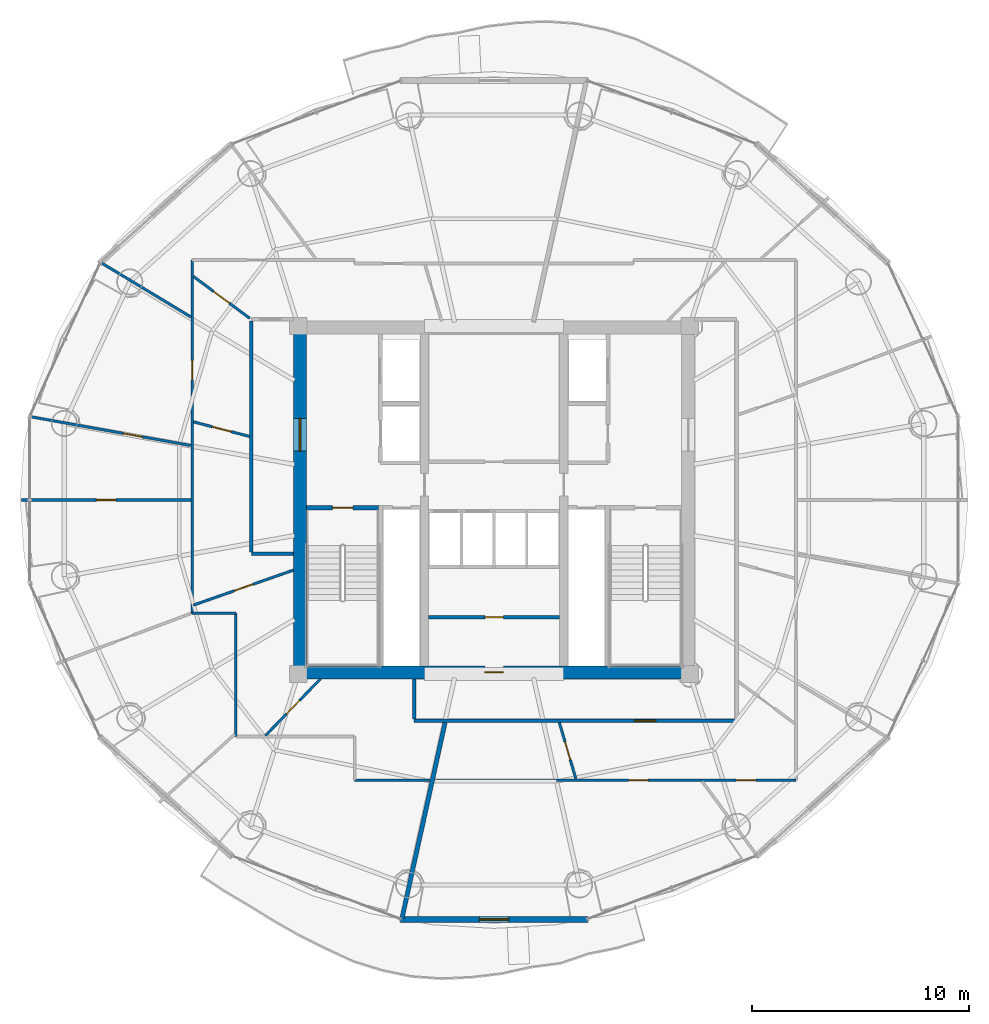
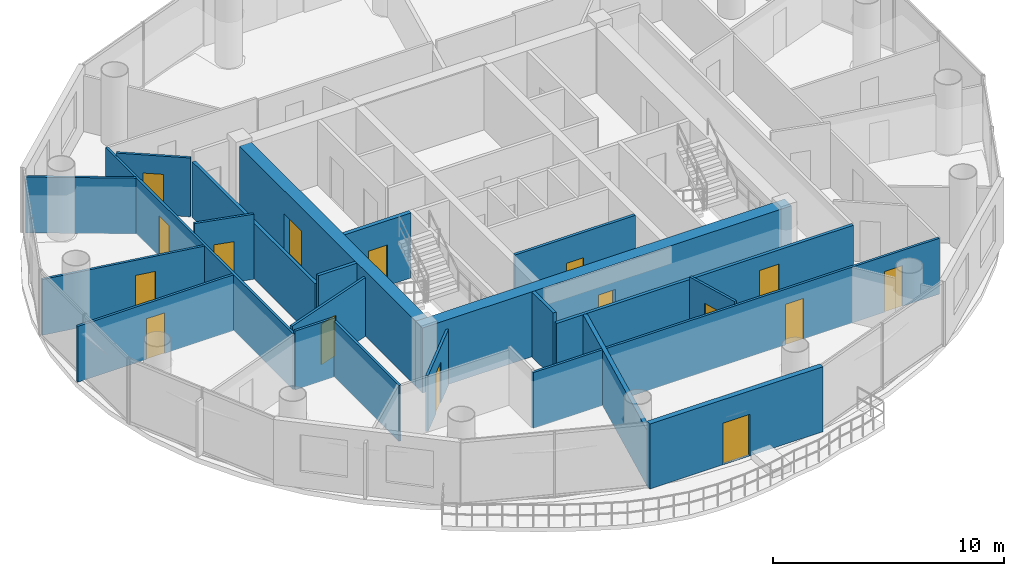
# One storey, part 20 of 26: 23 walls, 16 doors, 16 openings.
"""IFC4 building model written with IfcOpenShell, lengths in metres."""

from ifc_helpers import new_model, si_unit, direction, frame, frame_2d, origin, place, context, subcontext, project, spatial, rectangle, extrude, source, transform, mapped, material, layer, layer_set, type_object, element, fill, save


model = new_model("IFC4")

# Units and contexts
model_context = context("Model", 3, precision=1e-05, world=origin(), true_north=direction((-0.2419218956, 0.970295726276)))
body_context = subcontext(model_context, "Body", "Model", "MODEL_VIEW")
ifc_project = project(units=[si_unit("LENGTHUNIT", "METRE"), si_unit("AREAUNIT", "SQUARE_METRE"), si_unit("VOLUMEUNIT", "CUBIC_METRE"), si_unit("PLANEANGLEUNIT", "RADIAN"), si_unit("MASSUNIT", "GRAM", prefix="KILO")], contexts=[model_context])

# Site, building, storey
site_placement = place(None, origin())
site = spatial("IfcSite", under=ifc_project, at=site_placement, CompositionType="ELEMENT")
building_placement = place(site_placement, origin())
building = spatial("IfcBuilding", under=site, at=building_placement, Name="Cobrevalo Terracotta Tower", CompositionType="ELEMENT")
storey_placement = place(building_placement, frame((0.0, 0.0, 224.5)))
storey = spatial("IfcBuildingStorey", under=building, at=storey_placement, Name="L59", CompositionType="ELEMENT", Elevation=224.5)

# Wall, opening, door
ifc_material_1 = material(Name="Concrete C55", Category="concrete")
ifc_layer_1 = layer(ifc_material_1, 0.60009765625)
ifc_layer_set_1 = layer_set([ifc_layer_1], Name="Concrete C55")
wall_type_1 = type_object("IfcWallType", Name="Core shear wall 600 mm Concrete C55", PredefinedType="SHEAR", material=ifc_layer_set_1)
wall_1_placement = place(storey_placement, frame((28.77490234375, 18.875, 0.0), z_axis=(0.0, 0.0, 1.0), x_axis=(1.0, 0.0, 0.0)))
wall_1 = element("IfcWall", 1, at=wall_1_placement, inside=storey, type_object=wall_type_1, Name="L59 south core shear wall", PredefinedType="SHEAR", context=body_context, shape_type="SweptSolid", body=[
    extrude(rectangle(XDim=18.4501953125, YDim=0.60009765625, at=frame_2d((9.22509765625, 0.0))), origin(), (0.0, 0.0, 1.0), 3.43505859375),
])
opening_1_placement = place(wall_1_placement, frame((8.800048828125, 0.0, 0.0)))
opening_1 = element("IfcOpeningElement", 2, at=opening_1_placement, cuts=wall_1, Name="Opening ID-22", PredefinedType="OPENING", context=body_context, shape_type="SweptSolid", body=[
    extrude(rectangle(XDim=0.85009765625, YDim=2.10009765625, at=frame_2d((0.425048828125, 1.050048828125))), frame((0.0, 0.31005859375, 0.0), z_axis=(0.0, -1.0, 0.0), x_axis=(1.0, 0.0, 0.0)), (0.0, 0.0, 1.0), 0.6201171875),
])
ifc_material_2 = material(Name="Powder-coated steel", Category="steel")
door_type_1 = type_object("IfcDoorType", Name="Riser shaft & meter closet fire access door 850x2100 EI 60", OperationType="NOTDEFINED", PredefinedType="DOOR", material=ifc_material_2)
shared_shape_1 = source(origin(), body_context, "Body", "SweptSolid", [
    extrude(rectangle(XDim=0.85009765625, YDim=2.10009765625, at=frame_2d((0.425048828125, 1.050048828125))), frame((0.0, 0.02490234375, 0.0), z_axis=(0.0, -1.0, 0.0), x_axis=(1.0, 0.0, 0.0)), (0.0, 0.0, 1.0), 0.050048828125),
])
door_1_placement = place(opening_1_placement, origin())
door_1 = element("IfcDoor", 3, at=door_1_placement, inside=storey, type_object=door_type_1, Name="L59 core south plant door Smoke Extract Fan Plant", OperationType="SINGLE_SWING_RIGHT", OverallHeight=2.10009765625, OverallWidth=0.85009765625, PredefinedType="DOOR", context=body_context, shape_type="MappedRepresentation", body=[
    mapped(shared_shape_1, transform((0.0, 0.0, 0.0), scale=1.0)),
])
fill(opening_1, door_1)

wall_2_placement = place(storey_placement, frame((29.074951171875, 19.175048828125, 0.0), z_axis=(0.0, 0.0, 1.0), x_axis=(0.0, 1.0, 0.0)))
wall_2 = element("IfcWall", 4, at=wall_2_placement, inside=storey, type_object=wall_type_1, Name="L59 west core shear wall", PredefinedType="SHEAR", context=body_context, shape_type="SweptSolid", body=[
    extrude(rectangle(XDim=15.25, YDim=0.60009765625, at=frame_2d((7.625, 0.0))), origin(), (0.0, 0.0, 1.0), 3.43505859375),
])
opening_2_placement = place(wall_2_placement, frame((9.875, 0.0, 0.0)))
opening_2 = element("IfcOpeningElement", 5, at=opening_2_placement, cuts=wall_2, Name="Opening ID-14", PredefinedType="OPENING", context=body_context, shape_type="SweptSolid", body=[
    extrude(rectangle(XDim=1.5, YDim=2.199951171875, at=frame_2d((0.75, 1.10009765625))), frame((0.0, 0.31005859375, 0.0), z_axis=(0.0, -1.0, 0.0), x_axis=(1.0, 0.0, 0.0)), (0.0, 0.0, 1.0), 0.6201171875),
])
ifc_material_3 = material(Name="Galvanized fire-rated steel", Category="steel")
door_type_2 = type_object("IfcDoorType", Name="Core cross-lobby double fire door 1500x2200 EI 90", OperationType="NOTDEFINED", PredefinedType="DOOR", material=ifc_material_3)
shared_shape_2 = source(origin(), body_context, "Body", "SweptSolid", [
    extrude(rectangle(XDim=1.5, YDim=2.199951171875, at=frame_2d((0.75, 1.10009765625))), frame((0.0, 0.02490234375, 0.0), z_axis=(0.0, -1.0, 0.0), x_axis=(1.0, 0.0, 0.0)), (0.0, 0.0, 1.0), 0.050048828125),
])
door_2_placement = place(opening_2_placement, origin())
door_2 = element("IfcDoor", 6, at=door_2_placement, inside=storey, type_object=door_type_2, Name="L59 west firefighting lobby entrance door", OperationType="DOUBLE_DOOR_SINGLE_SWING", OverallHeight=2.199951171875, OverallWidth=1.5, PredefinedType="DOOR", context=body_context, shape_type="MappedRepresentation", body=[
    mapped(shared_shape_2, transform((0.0, 0.0, 0.0), scale=1.0)),
])
fill(opening_2, door_2)

# Walls
ifc_material_4 = material(Name="Gypsum board on steel stud", Category="steel")
ifc_layer_2 = layer(ifc_material_4, 0.159912109375)
ifc_layer_set_2 = layer_set([ifc_layer_2], Name="Gypsum board on steel stud")
wall_type_2 = type_object("IfcWallType", Name="Fire-rated corridor acoustic partition wall 160 mm", PredefinedType="PARTITIONING", material=ifc_layer_set_2)
wall_3_placement = place(storey_placement, frame((26.844970703125, 24.39990234375, 0.0), z_axis=(0.0, 0.0, 1.0), x_axis=(0.0, 1.0, 0.0)))
element("IfcWall", 7, at=wall_3_placement, inside=storey, type_object=wall_type_2, Name="L59 interior partition IW-L59-COR-W", PredefinedType="PARTITIONING", context=body_context, shape_type="SweptSolid", body=[
    extrude(rectangle(XDim=10.625, YDim=0.159912109375, at=frame_2d((5.3125, 0.0))), origin(), (0.0, 0.0, 1.0), 2.950927734375),
])
wall_4_placement = place(storey_placement, frame((26.844970703125, 24.320068359375, 0.0), z_axis=(0.0, 0.0, 1.0), x_axis=(1.0, 0.0, 0.0)))
element("IfcWall", 8, at=wall_4_placement, inside=storey, type_object=wall_type_2, Name="L59 interior partition IW-L59-COR-WS-CAP", PredefinedType="PARTITIONING", context=body_context, shape_type="SweptSolid", body=[
    extrude(rectangle(XDim=1.929931640625, YDim=0.159912109375, at=frame_2d((0.96484375, 0.0))), origin(), (0.0, 0.0, 1.0), 3.43505859375),
])

# Wall, opening, door
wall_5_placement = place(storey_placement, frame((34.320068359375, 16.64501953125, 0.0), z_axis=(0.0, 0.0, 1.0), x_axis=(1.0, 0.0, 0.0)))
wall_5 = element("IfcWall", 9, at=wall_5_placement, inside=storey, type_object=wall_type_2, Name="L59 interior partition IW-L59-COR-S", PredefinedType="PARTITIONING", context=body_context, shape_type="SweptSolid", body=[
    extrude(rectangle(XDim=14.8349609375, YDim=0.159912109375, at=frame_2d((7.41748046875, 0.0))), origin(), (0.0, 0.0, 1.0), 2.950927734375),
])
opening_3_placement = place(wall_5_placement, frame((10.135009765625, 0.0, 0.0)))
opening_3 = element("IfcOpeningElement", 10, at=opening_3_placement, cuts=wall_5, Name="Opening ID-05", PredefinedType="OPENING", context=body_context, shape_type="SweptSolid", body=[
    extrude(rectangle(XDim=0.97998046875, YDim=2.199951171875, at=frame_2d((0.489990234375, 1.10009765625))), frame((0.0, 0.08984375, 0.0), z_axis=(0.0, -1.0, 0.0), x_axis=(1.0, 0.0, 0.0)), (0.0, 0.0, 1.0), 0.179931640625),
])
ifc_material_5 = material(Name="Solid hardwood timber", Category="wood")
door_type_3 = type_object("IfcDoorType", Name="Residence entrance fire-rated acoustic timber door 980x2200 EI 60", OperationType="NOTDEFINED", PredefinedType="DOOR", material=ifc_material_5)
shared_shape_3 = source(origin(), body_context, "Body", "SweptSolid", [
    extrude(rectangle(XDim=0.97998046875, YDim=2.199951171875, at=frame_2d((0.489990234375, 1.10009765625))), frame((0.0, 0.02490234375, 0.0), z_axis=(0.0, -1.0, 0.0), x_axis=(1.0, 0.0, 0.0)), (0.0, 0.0, 1.0), 0.050048828125),
])
door_3_placement = place(opening_3_placement, frame((0.97998046875, 0.0, 0.0), z_axis=(0.0, 0.0, 1.0), x_axis=(-1.0, 0.0, 0.0)))
door_3 = element("IfcDoor", 11, at=door_3_placement, inside=storey, type_object=door_type_3, Name="Flat L59B fire-rated apartment entrance door", OperationType="SINGLE_SWING_LEFT", OverallHeight=2.199951171875, OverallWidth=0.97998046875, PredefinedType="DOOR", context=body_context, shape_type="MappedRepresentation", body=[
    mapped(shared_shape_3, transform((0.0, 0.0, 0.0), scale=1.0)),
])
fill(opening_3, door_3)

# Walls
wall_6_placement = place(storey_placement, frame((34.320068359375, 16.72509765625, 0.0), z_axis=(0.0, 0.0, 1.0), x_axis=(0.0, 1.0, 0.0)))
element("IfcWall", 12, at=wall_6_placement, inside=storey, type_object=wall_type_2, Name="L59 interior partition IW-L59-COR-SW-CAP", PredefinedType="PARTITIONING", context=body_context, shape_type="SweptSolid", body=[
    extrude(rectangle(XDim=1.849853515625, YDim=0.159912109375, at=frame_2d((0.9248046875, 0.0))), origin(), (0.0, 0.0, 1.0), 3.43505859375),
])
ifc_material_6 = material(Name="Autoclaved aerated concrete block", Category="concrete")
ifc_layer_3 = layer(ifc_material_6, 0.199951171875)
ifc_layer_set_3 = layer_set([ifc_layer_3], Name="Autoclaved aerated concrete block")
wall_type_3 = type_object("IfcWallType", Name="Fire-rated stair, shaft & demising masonry wall 200 mm", PredefinedType="PARTITIONING", material=ifc_layer_set_3)
wall_7_placement = place(storey_placement, frame((35.7470703125, 16.56494140625, 0.0), z_axis=(0.0, 0.0, 1.0), x_axis=(-0.214957946814, -0.976623305631, 0.0)))
element("IfcWall", 13, at=wall_7_placement, inside=storey, type_object=wall_type_3, Name="L59 interior partition IW-L59-DEM-2", PredefinedType="PARTITIONING", context=body_context, shape_type="SweptSolid", body=[
    extrude(rectangle(XDim=9.201904296875, YDim=0.199951171875, at=frame_2d((4.60107421875, 0.0))), origin(), (0.0, 0.0, 1.0), 2.950927734375),
])

# Wall, opening, door
ifc_layer_4 = layer(ifc_material_6, 0.139892578125)
ifc_layer_set_4 = layer_set([ifc_layer_4], Name="Autoclaved aerated concrete block")
wall_type_4 = type_object("IfcWallType", Name="Moisture-resistant wet-room & core service partition 140 mm", PredefinedType="PARTITIONING", material=ifc_layer_set_4)
wall_8_placement = place(storey_placement, frame((34.989990234375, 21.407470703125, 0.0), z_axis=(0.0, 0.0, 1.0), x_axis=(1.0, 0.0, 0.0)))
wall_8 = element("IfcWall", 14, at=wall_8_placement, inside=storey, type_object=wall_type_4, Name="L59 interior partition IW-L59-KVS-H", PredefinedType="PARTITIONING", context=body_context, shape_type="SweptSolid", body=[
    extrude(rectangle(XDim=6.02001953125, YDim=0.139892578125, at=frame_2d((3.010009765625, 0.0))), origin(), (0.0, 0.0, 1.0), 3.43505859375),
])
opening_4_placement = place(wall_8_placement, frame((2.5849609375, 0.0, 0.0)))
opening_4 = element("IfcOpeningElement", 15, at=opening_4_placement, cuts=wall_8, Name="Opening ID-22", PredefinedType="OPENING", context=body_context, shape_type="SweptSolid", body=[
    extrude(rectangle(XDim=0.85009765625, YDim=2.10009765625, at=frame_2d((0.425048828125, 1.050048828125))), frame((0.0, 0.080078125, 0.0), z_axis=(0.0, -1.0, 0.0), x_axis=(1.0, 0.0, 0.0)), (0.0, 0.0, 1.0), 0.159912109375),
])
door_4_placement = place(opening_4_placement, origin())
door_4 = element("IfcDoor", 16, at=door_4_placement, inside=storey, type_object=door_type_1, Name="L59 core manifold inner door", OperationType="SINGLE_SWING_LEFT", OverallHeight=2.10009765625, OverallWidth=0.85009765625, PredefinedType="DOOR", context=body_context, shape_type="MappedRepresentation", body=[
    mapped(shared_shape_1, transform((0.0, 0.0, 0.0), scale=1.0)),
])
fill(opening_4, door_4)

ifc_layer_5 = layer(ifc_material_6, 0.260009765625)
ifc_layer_set_5 = layer_set([ifc_layer_5], Name="Autoclaved aerated concrete block")
wall_type_5 = type_object("IfcWallType", Name="Recessed balcony loggia insulated exterior wall 260 mm", PredefinedType="SOLIDWALL", material=ifc_layer_set_5)
wall_9_placement = place(storey_placement, frame((33.6728515625, 7.508056640625, 0.0), z_axis=(0.0, 0.0, 1.0), x_axis=(1.0, 0.0, 0.0)))
wall_9 = element("IfcWall", 17, at=wall_9_placement, inside=storey, type_object=wall_type_5, Name="L59 balcony loggia wall S12", PredefinedType="SOLIDWALL", context=body_context, shape_type="SweptSolid", body=[
    extrude(rectangle(XDim=8.654296875, YDim=0.260009765625, at=frame_2d((4.3271484375, 0.0))), origin(), (0.0, 0.0, 1.0), 3.43505859375),
])
opening_5_placement = place(wall_9_placement, frame((3.652099609375, 0.0, 0.0)))
opening_5 = element("IfcOpeningElement", 18, at=opening_5_placement, cuts=wall_9, Name="Opening ED-05", PredefinedType="OPENING", context=body_context, shape_type="SweptSolid", body=[
    extrude(rectangle(XDim=1.35009765625, YDim=2.199951171875, at=frame_2d((0.675048828125, 1.10009765625))), frame((0.0, 0.14013671875, 0.0), z_axis=(0.0, -1.0, 0.0), x_axis=(1.0, 0.0, 0.0)), (0.0, 0.0, 1.0), 0.280029296875),
])
ifc_material_7 = material(Name="Anodized aluminium and laminated glass", Category="aluminium")
door_type_4 = type_object("IfcDoorType", Name="Suite balcony acoustic glazed terrace door 1350x2200", OperationType="NOTDEFINED", PredefinedType="DOOR", material=ifc_material_7)
shared_shape_4 = source(origin(), body_context, "Body", "SweptSolid", [
    extrude(rectangle(XDim=1.35009765625, YDim=2.199951171875, at=frame_2d((0.675048828125, 1.10009765625))), frame((0.0, 0.02490234375, 0.0), z_axis=(0.0, -1.0, 0.0), x_axis=(1.0, 0.0, 0.0)), (0.0, 0.0, 1.0), 0.050048828125),
])
door_5_placement = place(opening_5_placement, frame((1.35009765625, 0.0, 0.0), z_axis=(0.0, 0.0, 1.0), x_axis=(-1.0, 0.0, 0.0)))
door_5 = element("IfcDoor", 19, at=door_5_placement, inside=storey, type_object=door_type_4, Name="L59 glazed balcony terrace door 2", OperationType="SINGLE_SWING_RIGHT", OverallHeight=2.199951171875, OverallWidth=1.35009765625, PredefinedType="DOOR", context=body_context, shape_type="MappedRepresentation", body=[
    mapped(shared_shape_4, transform((0.0, 0.0, 0.0), scale=1.0)),
])
fill(opening_5, door_5)

# Walls
ifc_layer_6 = layer(ifc_material_4, 0.1201171875)
ifc_layer_set_6 = layer_set([ifc_layer_6], Name="Gypsum board on steel stud")
wall_type_6 = type_object("IfcWallType", Name="Residential internal acoustic stud partition 120 mm", PredefinedType="PARTITIONING", material=ifc_layer_set_6)
wall_10_placement = place(storey_placement, frame((35.061767578125, 13.9150390625, 0.0), z_axis=(0.0, 0.0, 1.0), x_axis=(-1.0, 0.0, 0.0)))
element("IfcWall", 20, at=wall_10_placement, inside=storey, type_object=wall_type_6, Name="L59 interior partition IW-L59-U1-RING0_0", PredefinedType="PARTITIONING", context=body_context, shape_type="SweptSolid", body=[
    extrude(rectangle(XDim=3.4716796875, YDim=0.1201171875, at=frame_2d((1.73583984375, 0.0))), origin(), (0.0, 0.0, 1.0), 2.950927734375),
])
wall_11_placement = place(storey_placement, frame((26.125, 15.925048828125, 0.0), z_axis=(0.0, 0.0, 1.0), x_axis=(0.0, 1.0, 0.0)))
element("IfcWall", 21, at=wall_11_placement, inside=storey, type_object=wall_type_6, Name="L59 interior partition IW-L59-U1-RING3_0", PredefinedType="PARTITIONING", context=body_context, shape_type="SweptSolid", body=[
    extrude(rectangle(XDim=5.6650390625, YDim=0.1201171875, at=frame_2d((2.83251953125, 0.0))), origin(), (0.0, 0.0, 1.0), 2.950927734375),
])
wall_12_placement = place(storey_placement, frame((26.125, 21.590087890625, 0.0), z_axis=(0.0, 0.0, 1.0), x_axis=(-1.0, 0.0, 0.0)))
element("IfcWall", 22, at=wall_12_placement, inside=storey, type_object=wall_type_6, Name="L59 interior partition IW-L59-U1-RING4_0", PredefinedType="PARTITIONING", context=body_context, shape_type="SweptSolid", body=[
    extrude(rectangle(XDim=2.010009765625, YDim=0.1201171875, at=frame_2d((1.0048828125, 0.0))), origin(), (0.0, 0.0, 1.0), 3.110107421875),
])

# Wall, opening, door
wall_13_placement = place(storey_placement, frame((24.114990234375, 21.590087890625, 0.0), z_axis=(0.0, 0.0, 1.0), x_axis=(0.0, 1.0, 0.0)))
wall_13 = element("IfcWall", 23, at=wall_13_placement, inside=storey, type_object=wall_type_6, Name="L59 interior partition IW-L59-U1-RING5_0", PredefinedType="PARTITIONING", context=body_context, shape_type="SweptSolid", body=[
    extrude(rectangle(XDim=16.244873046875, YDim=0.1201171875, at=frame_2d((8.12255859375, 0.0))), origin(), (0.0, 0.0, 1.0), 2.950927734375),
])
opening_6_placement = place(wall_13_placement, frame((10.73291015625, 0.0, 0.0)))
opening_6 = element("IfcOpeningElement", 24, at=opening_6_placement, cuts=wall_13, Name="Opening ID-12", PredefinedType="OPENING", context=body_context, shape_type="SweptSolid", body=[
    extrude(rectangle(XDim=0.89990234375, YDim=2.14990234375, at=frame_2d((0.449951171875, 1.074951171875))), frame((0.0, 0.070068359375, 0.0), z_axis=(0.0, -1.0, 0.0), x_axis=(1.0, 0.0, 0.0)), (0.0, 0.0, 1.0), 0.14013671875),
])
ifc_material_8 = material(Name="Engineered timber", Category="wood")
door_type_5 = type_object("IfcDoorType", Name="Internal residence & suite timber door 900x2150", OperationType="NOTDEFINED", PredefinedType="DOOR", material=ifc_material_8)
shared_shape_5 = source(origin(), body_context, "Body", "SweptSolid", [
    extrude(rectangle(XDim=0.89990234375, YDim=2.14990234375, at=frame_2d((0.449951171875, 1.074951171875))), frame((0.0, 0.02490234375, 0.0), z_axis=(0.0, -1.0, 0.0), x_axis=(1.0, 0.0, 0.0)), (0.0, 0.0, 1.0), 0.050048828125),
])
door_6_placement = place(opening_6_placement, origin())
door_6 = element("IfcDoor", 25, at=door_6_placement, inside=storey, type_object=door_type_5, Name="Flat L59A Principal Guest Bedroom internal door", OperationType="SINGLE_SWING_RIGHT", OverallHeight=2.14990234375, OverallWidth=0.89990234375, PredefinedType="DOOR", context=body_context, shape_type="MappedRepresentation", body=[
    mapped(shared_shape_5, transform((0.0, 0.0, 0.0), scale=1.0)),
])
fill(opening_6, door_6)

# Wall
wall_14_placement = place(storey_placement, frame((24.06201171875, 35.216064453125, 0.0), z_axis=(0.0, 0.0, 1.0), x_axis=(-0.856058483833, 0.516878972543, 0.0)))
element("IfcWall", 26, at=wall_14_placement, inside=storey, type_object=wall_type_6, Name="L59 interior partition IW-L59-U1-ORAD2", PredefinedType="PARTITIONING", context=body_context, shape_type="SweptSolid", body=[
    extrude(rectangle(XDim=4.78662109375, YDim=0.1201171875, at=frame_2d((2.393310546875, 0.0))), origin(), (0.0, 0.0, 1.0), 2.950927734375),
])

# Wall, opening, door
wall_15_placement = place(storey_placement, frame((24.053955078125, 29.306884765625, 0.0), z_axis=(0.0, 0.0, 1.0), x_axis=(-0.984227185588, 0.176909149424, 0.0)))
wall_15 = element("IfcWall", 27, at=wall_15_placement, inside=storey, type_object=wall_type_6, Name="L59 interior partition IW-L59-U1-ORAD3", PredefinedType="PARTITIONING", context=body_context, shape_type="SweptSolid", body=[
    extrude(rectangle(XDim=7.447998046875, YDim=0.1201171875, at=frame_2d((3.72412109375, 0.0))), origin(), (0.0, 0.0, 1.0), 2.950927734375),
])
opening_7_placement = place(wall_15_placement, frame((2.263916015625, 0.0, 0.0)))
opening_7 = element("IfcOpeningElement", 28, at=opening_7_placement, cuts=wall_15, Name="Opening ID-12", PredefinedType="OPENING", context=body_context, shape_type="SweptSolid", body=[
    extrude(rectangle(XDim=0.89990234375, YDim=2.14990234375, at=frame_2d((0.449951171875, 1.074951171875))), frame((0.0, 0.070068359375, 0.0), z_axis=(0.0, -1.0, 0.0), x_axis=(1.0, 0.0, 0.0)), (0.0, 0.0, 1.0), 0.14013671875),
])
door_7_placement = place(opening_7_placement, origin())
door_7 = element("IfcDoor", 29, at=door_7_placement, inside=storey, type_object=door_type_5, Name="Flat L59A North Bedroom internal door", OperationType="SINGLE_SWING_LEFT", OverallHeight=2.14990234375, OverallWidth=0.89990234375, PredefinedType="DOOR", context=body_context, shape_type="MappedRepresentation", body=[
    mapped(shared_shape_5, transform((0.0, 0.0, 0.0), scale=1.0)),
])
fill(opening_7, door_7)

wall_16_placement = place(storey_placement, frame((24.052978515625, 26.800048828125, 0.0), z_axis=(0.0, 0.0, 1.0), x_axis=(-1.0, 0.0, 0.0)))
wall_16 = element("IfcWall", 30, at=wall_16_placement, inside=storey, type_object=wall_type_6, Name="L59 interior partition IW-L59-U1-ORAD4M1", PredefinedType="PARTITIONING", context=body_context, shape_type="SweptSolid", body=[
    extrude(rectangle(XDim=7.79296875, YDim=0.1201171875, at=frame_2d((3.896484375, 0.0))), origin(), (0.0, 0.0, 1.0), 2.950927734375),
])
opening_8_placement = place(wall_16_placement, frame((3.446533203125, 0.0, 0.0)))
opening_8 = element("IfcOpeningElement", 31, at=opening_8_placement, cuts=wall_16, Name="Opening ID-12", PredefinedType="OPENING", context=body_context, shape_type="SweptSolid", body=[
    extrude(rectangle(XDim=0.89990234375, YDim=2.14990234375, at=frame_2d((0.449951171875, 1.074951171875))), frame((0.0, 0.070068359375, 0.0), z_axis=(0.0, -1.0, 0.0), x_axis=(1.0, 0.0, 0.0)), (0.0, 0.0, 1.0), 0.14013671875),
])
door_8_placement = place(opening_8_placement, origin())
door_8 = element("IfcDoor", 32, at=door_8_placement, inside=storey, type_object=door_type_5, Name="Flat L59A Principal Guest Bedroom internal door", OperationType="SINGLE_SWING_RIGHT", OverallHeight=2.14990234375, OverallWidth=0.89990234375, PredefinedType="DOOR", context=body_context, shape_type="MappedRepresentation", body=[
    mapped(shared_shape_5, transform((0.0, 0.0, 0.0), scale=1.0)),
])
fill(opening_8, door_8)

wall_17_placement = place(storey_placement, frame((26.764892578125, 35.154296875, 0.0), z_axis=(0.0, 0.0, 1.0), x_axis=(-0.802434587752, 0.596740087793, 0.0)))
wall_17 = element("IfcWall", 33, at=wall_17_placement, inside=storey, type_object=wall_type_6, Name="L59 interior partition IW-L59-U1-IRAD2", PredefinedType="PARTITIONING", context=body_context, shape_type="SweptSolid", body=[
    extrude(rectangle(XDim=3.240234375, YDim=0.1201171875, at=frame_2d((1.6201171875, 0.0))), origin(), (0.0, 0.0, 1.0), 3.110107421875),
])
opening_9_placement = place(wall_17_placement, frame((1.170166015625, 0.0, 0.0)))
opening_9 = element("IfcOpeningElement", 34, at=opening_9_placement, cuts=wall_17, Name="Opening ID-12", PredefinedType="OPENING", context=body_context, shape_type="SweptSolid", body=[
    extrude(rectangle(XDim=0.89990234375, YDim=2.14990234375, at=frame_2d((0.449951171875, 1.074951171875))), frame((0.0, 0.070068359375, 0.0), z_axis=(0.0, -1.0, 0.0), x_axis=(1.0, 0.0, 0.0)), (0.0, 0.0, 1.0), 0.14013671875),
])
door_9_placement = place(opening_9_placement, origin())
door_9 = element("IfcDoor", 35, at=door_9_placement, inside=storey, type_object=door_type_5, Name="Flat L59A Kitchen internal door", OperationType="SINGLE_SWING_LEFT", OverallHeight=2.14990234375, OverallWidth=0.89990234375, PredefinedType="DOOR", context=body_context, shape_type="MappedRepresentation", body=[
    mapped(shared_shape_5, transform((0.0, 0.0, 0.0), scale=1.0)),
])
fill(opening_9, door_9)

wall_18_placement = place(storey_placement, frame((26.764892578125, 29.720947265625, 0.0), z_axis=(0.0, 0.0, 1.0), x_axis=(-0.967824284298, 0.251627015092, 0.0)))
wall_18 = element("IfcWall", 36, at=wall_18_placement, inside=storey, type_object=wall_type_6, Name="L59 interior partition IW-L59-U1-IRAD3", PredefinedType="PARTITIONING", context=body_context, shape_type="SweptSolid", body=[
    extrude(rectangle(XDim=2.676025390625, YDim=0.1201171875, at=frame_2d((1.337890625, 0.0))), origin(), (0.0, 0.0, 1.0), 3.43505859375),
])
opening_10_placement = place(wall_18_placement, frame((0.887939453125, 0.0, 0.0)))
opening_10 = element("IfcOpeningElement", 37, at=opening_10_placement, cuts=wall_18, Name="Opening ID-12", PredefinedType="OPENING", context=body_context, shape_type="SweptSolid", body=[
    extrude(rectangle(XDim=0.89990234375, YDim=2.14990234375, at=frame_2d((0.449951171875, 1.074951171875))), frame((0.0, 0.070068359375, 0.0), z_axis=(0.0, -1.0, 0.0), x_axis=(1.0, 0.0, 0.0)), (0.0, 0.0, 1.0), 0.14013671875),
])
door_10_placement = place(opening_10_placement, origin())
door_10 = element("IfcDoor", 38, at=door_10_placement, inside=storey, type_object=door_type_5, Name="Flat L59A Home Office Study internal door", OperationType="SINGLE_SWING_RIGHT", OverallHeight=2.14990234375, OverallWidth=0.89990234375, PredefinedType="DOOR", context=body_context, shape_type="MappedRepresentation", body=[
    mapped(shared_shape_5, transform((0.0, 0.0, 0.0), scale=1.0)),
])
fill(opening_10, door_10)

wall_19_placement = place(storey_placement, frame((28.77490234375, 23.574951171875, 0.0), z_axis=(0.0, 0.0, 1.0), x_axis=(-0.943974645063, -0.330017983569, 0.0)))
wall_19 = element("IfcWall", 39, at=wall_19_placement, inside=storey, type_object=wall_type_6, Name="L59 interior partition IW-L59-U1-IRAD4", PredefinedType="PARTITIONING", context=body_context, shape_type="SweptSolid", body=[
    extrude(rectangle(XDim=4.87451171875, YDim=0.1201171875, at=frame_2d((2.437255859375, 0.0))), origin(), (0.0, 0.0, 1.0), 3.110107421875),
])
opening_11_placement = place(wall_19_placement, frame((1.9873046875, 0.0, 0.0)))
opening_11 = element("IfcOpeningElement", 40, at=opening_11_placement, cuts=wall_19, Name="Opening ID-12", PredefinedType="OPENING", context=body_context, shape_type="SweptSolid", body=[
    extrude(rectangle(XDim=0.89990234375, YDim=2.14990234375, at=frame_2d((0.449951171875, 1.074951171875))), frame((0.0, 0.070068359375, 0.0), z_axis=(0.0, -1.0, 0.0), x_axis=(1.0, 0.0, 0.0)), (0.0, 0.0, 1.0), 0.14013671875),
])
door_11_placement = place(opening_11_placement, origin())
door_11 = element("IfcDoor", 41, at=door_11_placement, inside=storey, type_object=door_type_5, Name="Flat L59A Utility Closet internal door", OperationType="SINGLE_SWING_LEFT", OverallHeight=2.14990234375, OverallWidth=0.89990234375, PredefinedType="DOOR", context=body_context, shape_type="MappedRepresentation", body=[
    mapped(shared_shape_5, transform((0.0, 0.0, 0.0), scale=1.0)),
])
fill(opening_11, door_11)

wall_20_placement = place(storey_placement, frame((30.01806640625, 18.574951171875, 0.0), z_axis=(0.0, 0.0, 1.0), x_axis=(-0.696436677683, -0.717618250867, 0.0)))
wall_20 = element("IfcWall", 42, at=wall_20_placement, inside=storey, type_object=wall_type_6, Name="L59 interior partition IW-L59-U1-IRAD5", PredefinedType="PARTITIONING", context=body_context, shape_type="SweptSolid", body=[
    extrude(rectangle(XDim=3.630615234375, YDim=0.1201171875, at=frame_2d((1.8154296875, 0.0))), origin(), (0.0, 0.0, 1.0), 2.950927734375),
])
opening_12_placement = place(wall_20_placement, frame((1.385498046875, 0.0, 0.0)))
opening_12 = element("IfcOpeningElement", 43, at=opening_12_placement, cuts=wall_20, Name="Opening ID-19", PredefinedType="OPENING", context=body_context, shape_type="SweptSolid", body=[
    extrude(rectangle(XDim=0.860107421875, YDim=2.14990234375, at=frame_2d((0.43017578125, 1.074951171875))), frame((0.0, 0.070068359375, 0.0), z_axis=(0.0, -1.0, 0.0), x_axis=(1.0, 0.0, 0.0)), (0.0, 0.0, 1.0), 0.14013671875),
])
ifc_material_9 = material(Name="Moisture-sealed timber", Category="wood")
door_type_6 = type_object("IfcDoorType", Name="Suite bathroom internal timber door 860x2150", OperationType="NOTDEFINED", PredefinedType="DOOR", material=ifc_material_9)
shared_shape_6 = source(origin(), body_context, "Body", "SweptSolid", [
    extrude(rectangle(XDim=0.860107421875, YDim=2.14990234375, at=frame_2d((0.43017578125, 1.074951171875))), frame((0.0, 0.02490234375, 0.0), z_axis=(0.0, -1.0, 0.0), x_axis=(1.0, 0.0, 0.0)), (0.0, 0.0, 1.0), 0.050048828125),
])
door_12_placement = place(opening_12_placement, origin())
door_12 = element("IfcDoor", 44, at=door_12_placement, inside=storey, type_object=door_type_6, Name="Flat L59A Guest Bathroom internal door", OperationType="SINGLE_SWING_RIGHT", OverallHeight=2.14990234375, OverallWidth=0.860107421875, PredefinedType="DOOR", context=body_context, shape_type="MappedRepresentation", body=[
    mapped(shared_shape_6, transform((0.0, 0.0, 0.0), scale=1.0)),
])
fill(opening_12, door_12)

# Wall, openings, doors
wall_21_placement = place(storey_placement, frame((51.885009765625, 13.9150390625, 0.0), z_axis=(0.0, 0.0, 1.0), x_axis=(-1.0, 0.0, 0.0)))
wall_21 = element("IfcWall", 45, at=wall_21_placement, inside=storey, type_object=wall_type_6, Name="L59 interior partition IW-L59-U2-RING4_0", PredefinedType="PARTITIONING", context=body_context, shape_type="SweptSolid", body=[
    extrude(rectangle(XDim=16.619140625, YDim=0.1201171875, at=frame_2d((8.3095703125, 0.0))), origin(), (0.0, 0.0, 1.0), 2.950927734375),
])
opening_13_placement = place(wall_21_placement, frame((6.796875, 0.0, 0.0)))
opening_13 = element("IfcOpeningElement", 46, at=opening_13_placement, cuts=wall_21, Name="Opening ID-12", PredefinedType="OPENING", context=body_context, shape_type="SweptSolid", body=[
    extrude(rectangle(XDim=0.89990234375, YDim=2.14990234375, at=frame_2d((0.449951171875, 1.074951171875))), frame((0.0, 0.070068359375, 0.0), z_axis=(0.0, -1.0, 0.0), x_axis=(1.0, 0.0, 0.0)), (0.0, 0.0, 1.0), 0.14013671875),
])
opening_14_placement = place(wall_21_placement, frame((1.8486328125, 0.0, 0.0)))
opening_14 = element("IfcOpeningElement", 47, at=opening_14_placement, cuts=wall_21, Name="Opening ID-12", PredefinedType="OPENING", context=body_context, shape_type="SweptSolid", body=[
    extrude(rectangle(XDim=0.89990234375, YDim=2.14990234375, at=frame_2d((0.449951171875, 1.074951171875))), frame((0.0, 0.070068359375, 0.0), z_axis=(0.0, -1.0, 0.0), x_axis=(1.0, 0.0, 0.0)), (0.0, 0.0, 1.0), 0.14013671875),
])
door_13_placement = place(opening_13_placement, origin())
door_13 = element("IfcDoor", 48, at=door_13_placement, inside=storey, type_object=door_type_5, Name="Flat L59B Living and Dining Room internal door", OperationType="SINGLE_SWING_LEFT", OverallHeight=2.14990234375, OverallWidth=0.89990234375, PredefinedType="DOOR", context=body_context, shape_type="MappedRepresentation", body=[
    mapped(shared_shape_5, transform((0.0, 0.0, 0.0), scale=1.0)),
])
fill(opening_13, door_13)
door_14_placement = place(opening_14_placement, frame((0.89990234375, 0.0, 0.0), z_axis=(0.0, 0.0, 1.0), x_axis=(-1.0, 0.0, 0.0)))
door_14 = element("IfcDoor", 49, at=door_14_placement, inside=storey, type_object=door_type_5, Name="Flat L59B Master Bedroom internal door", OperationType="SINGLE_SWING_RIGHT", OverallHeight=2.14990234375, OverallWidth=0.89990234375, PredefinedType="DOOR", context=body_context, shape_type="MappedRepresentation", body=[
    mapped(shared_shape_5, transform((0.0, 0.0, 0.0), scale=1.0)),
])
fill(opening_14, door_14)

# Wall, opening, door
wall_22_placement = place(storey_placement, frame((41.0029296875, 16.56494140625, 0.0), z_axis=(0.0, 0.0, 1.0), x_axis=(0.281617901256, -0.959526632091, 0.0)))
wall_22 = element("IfcWall", 50, at=wall_22_placement, inside=storey, type_object=wall_type_6, Name="L59 interior partition IW-L59-U2-IRAD1", PredefinedType="PARTITIONING", context=body_context, shape_type="SweptSolid", body=[
    extrude(rectangle(XDim=2.69970703125, YDim=0.1201171875, at=frame_2d((1.349853515625, 0.0))), origin(), (0.0, 0.0, 1.0), 3.110107421875),
])
opening_15_placement = place(wall_22_placement, frame((0.919921875, 0.0, 0.0)))
opening_15 = element("IfcOpeningElement", 51, at=opening_15_placement, cuts=wall_22, Name="Opening ID-19", PredefinedType="OPENING", context=body_context, shape_type="SweptSolid", body=[
    extrude(rectangle(XDim=0.860107421875, YDim=2.14990234375, at=frame_2d((0.43017578125, 1.074951171875))), frame((0.0, 0.070068359375, 0.0), z_axis=(0.0, -1.0, 0.0), x_axis=(1.0, 0.0, 0.0)), (0.0, 0.0, 1.0), 0.14013671875),
])
door_15_placement = place(opening_15_placement, frame((0.860107421875, 0.0, 0.0), z_axis=(0.0, 0.0, 1.0), x_axis=(-1.0, 0.0, 0.0)))
door_15 = element("IfcDoor", 52, at=door_15_placement, inside=storey, type_object=door_type_6, Name="Flat L59B Primary Bathroom internal door", OperationType="SINGLE_SWING_RIGHT", OverallHeight=2.14990234375, OverallWidth=0.860107421875, PredefinedType="DOOR", context=body_context, shape_type="MappedRepresentation", body=[
    mapped(shared_shape_6, transform((0.0, 0.0, 0.0), scale=1.0)),
])
fill(opening_15, door_15)

ifc_material_10 = material(Name="Concrete C50", Category="concrete")
ifc_layer_7 = layer(ifc_material_10, 0.199951171875)
ifc_layer_set_7 = layer_set([ifc_layer_7], Name="Concrete C50")
wall_type_7 = type_object("IfcWallType", Name="Structural core & podium stair-shaft RC wall 200 mm Concrete C50", PredefinedType="SOLIDWALL", material=ifc_layer_set_7)
wall_23_placement = place(storey_placement, frame((29.375, 26.449951171875, 0.0), z_axis=(0.0, 0.0, 1.0), x_axis=(1.0, 0.0, 0.0)))
wall_23 = element("IfcWall", 53, at=wall_23_placement, inside=storey, type_object=wall_type_7, Name="L59 ST-1 north structural shaft wall", PredefinedType="SOLIDWALL", context=body_context, shape_type="SweptSolid", body=[
    extrude(rectangle(XDim=3.320068359375, YDim=0.199951171875, at=frame_2d((1.66015625, 0.0))), origin(), (0.0, 0.0, 1.0), 3.43505859375),
])
opening_16_placement = place(wall_23_placement, frame((1.18505859375, 0.0, 0.0)))
opening_16 = element("IfcOpeningElement", 54, at=opening_16_placement, cuts=wall_23, Name="Opening ID-04", PredefinedType="OPENING", context=body_context, shape_type="SweptSolid", body=[
    extrude(rectangle(XDim=0.949951171875, YDim=2.14990234375, at=frame_2d((0.47509765625, 1.074951171875))), frame((0.0, 0.10986328125, 0.0), z_axis=(0.0, -1.0, 0.0), x_axis=(1.0, 0.0, 0.0)), (0.0, 0.0, 1.0), 0.219970703125),
])
door_type_7 = type_object("IfcDoorType", Name="Stair & firefighting lobby fire door 950x2150 EI 90", OperationType="NOTDEFINED", PredefinedType="DOOR", material=ifc_material_3)
shared_shape_7 = source(origin(), body_context, "Body", "SweptSolid", [
    extrude(rectangle(XDim=0.949951171875, YDim=2.14990234375, at=frame_2d((0.47509765625, 1.074951171875))), frame((0.0, 0.02490234375, 0.0), z_axis=(0.0, -1.0, 0.0), x_axis=(1.0, 0.0, 0.0)), (0.0, 0.0, 1.0), 0.050048828125),
])
door_16_placement = place(opening_16_placement, origin())
door_16 = element("IfcDoor", 55, at=door_16_placement, inside=storey, type_object=door_type_7, Name="L59 protected stair ST1 fire door", OperationType="SINGLE_SWING_LEFT", OverallHeight=2.14990234375, OverallWidth=0.949951171875, PredefinedType="DOOR", context=body_context, shape_type="MappedRepresentation", body=[
    mapped(shared_shape_7, transform((0.0, 0.0, 0.0), scale=1.0)),
])
fill(opening_16, door_16)

save(model, "model.ifc")
